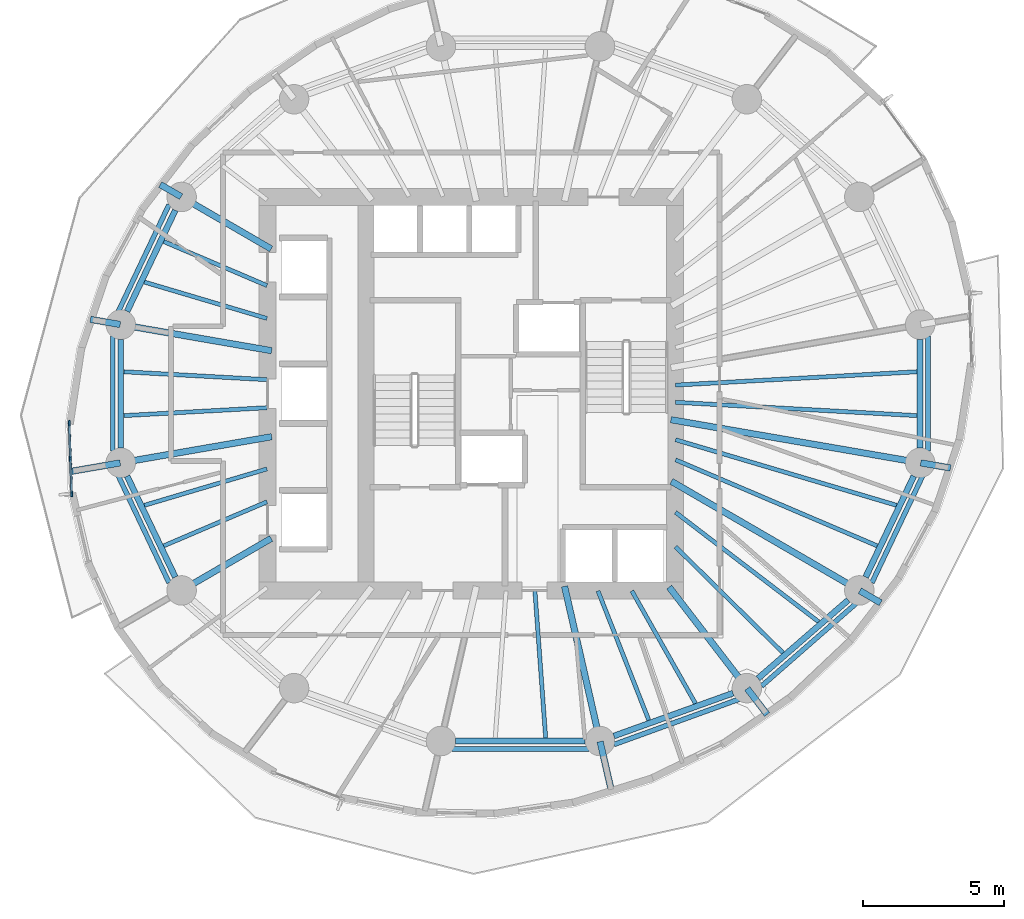
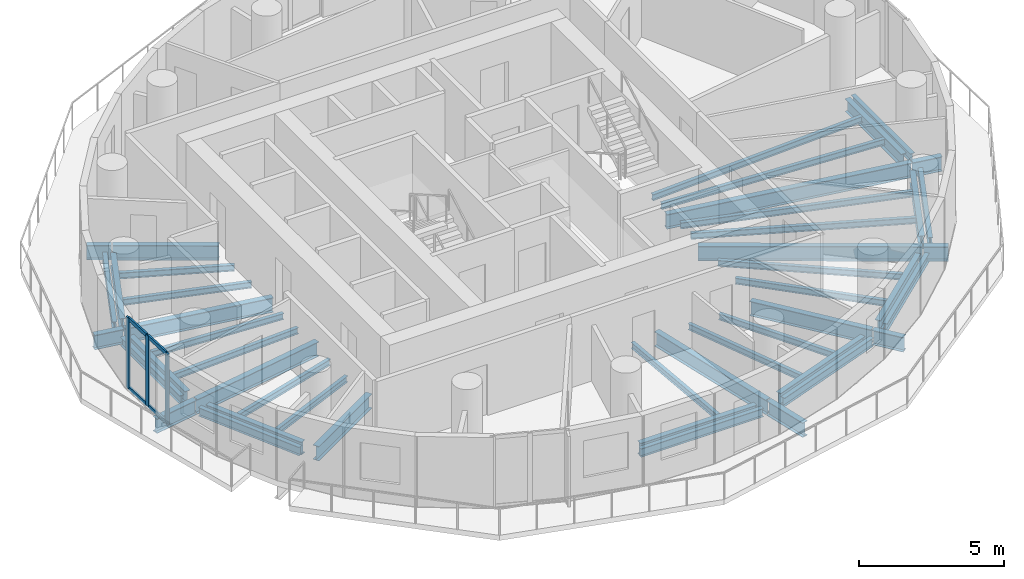
# One storey, part 2 of 14: 46 beams, 7 members, 1 element without a shape of its own.
"""IFC4 building model written with IfcOpenShell, lengths in metres."""

from ifc_helpers import new_model, si_unit, direction, frame, origin, origin_2d, place, context, subcontext, project, spatial, rectangle, i_section, extrude, material, material_profile, profile_set, type_object, element, aggregate, save


model = new_model("IFC4")

# Units and contexts
model_context = context("Model", 3, precision=1e-05, world=origin(), true_north=direction((0.0, 1.0)))
body_context = subcontext(model_context, "Body", "Model", "MODEL_VIEW")
ifc_project = project(units=[si_unit("LENGTHUNIT", "METRE"), si_unit("AREAUNIT", "SQUARE_METRE"), si_unit("VOLUMEUNIT", "CUBIC_METRE"), si_unit("PLANEANGLEUNIT", "RADIAN"), si_unit("MASSUNIT", "GRAM", prefix="KILO")], contexts=[model_context])

# Site, building, storey
site_placement = place(None, origin())
site = spatial("IfcSite", under=ifc_project, at=site_placement, CompositionType="ELEMENT")
building_placement = place(site_placement, origin())
building = spatial("IfcBuilding", under=site, at=building_placement, Name="Veldorim Arch Residences", CompositionType="ELEMENT")
storey_placement = place(building_placement, frame((0.0, 0.0, 129.760009765625)))
storey = spatial("IfcBuildingStorey", under=building, at=storey_placement, Name="L38", CompositionType="ELEMENT", Elevation=129.760009765625)

# Beams
ifc_material_1 = material(Name="Steel S355", Category="steel")
ifc_material_profile_1 = material_profile(ifc_material_1, i_section(OverallWidth=0.2099609375, OverallDepth=0.53662109375, WebThickness=0.0107421875, FlangeThickness=0.017333984375, at=origin_2d()), Name="UB533x210x101")
ifc_profile_set_1 = profile_set([ifc_material_profile_1], Name="Steel S355")
beam_type_1 = type_object("IfcBeamType", Name="Structural Steel Beam UB533x210x101", PredefinedType="BEAM", material=ifc_profile_set_1)
beam_1_placement = place(storey_placement, frame((19.7177734375, 30.5263671875, -0.50830078125), z_axis=(-0.43028577851, -0.902692721147, 0.0), x_axis=(0.902692721147, -0.43028577851, 0.0)))
element("IfcBeam", 1, at=beam_1_placement, inside=storey, type_object=beam_type_1, Name="L38 perimeter ring tie beam 07", PredefinedType="BEAM", context=body_context, shape_type="SweptSolid", body=[
    extrude(i_section(OverallWidth=0.2099609375, OverallDepth=0.53662109375, WebThickness=0.0107421875, FlangeThickness=0.017333984375, at=origin_2d()), origin(), (0.0, 0.0, 1.0), 3.98193359375),
])
beam_2_placement = place(storey_placement, frame((17.778564453125, 25.93310546875, -0.50830078125), z_axis=(0.0, -1.0, 0.0), x_axis=(1.0, 0.0, 0.0)))
element("IfcBeam", 2, at=beam_2_placement, inside=storey, type_object=beam_type_1, Name="L38 perimeter ring tie beam 08", PredefinedType="BEAM", context=body_context, shape_type="SweptSolid", body=[
    extrude(i_section(OverallWidth=0.2099609375, OverallDepth=0.53662109375, WebThickness=0.0107421875, FlangeThickness=0.017333984375, at=origin_2d()), origin(), (0.0, 0.0, 1.0), 3.8662109375),
])
beam_3_placement = place(storey_placement, frame((18.00439453125, 21.068115234375, -0.50830078125), z_axis=(0.43028577851, -0.902692721147, 0.0), x_axis=(0.902692721147, 0.43028577851, 0.0)))
element("IfcBeam", 3, at=beam_3_placement, inside=storey, type_object=beam_type_1, Name="L38 perimeter ring tie beam 09", PredefinedType="BEAM", context=body_context, shape_type="SweptSolid", body=[
    extrude(i_section(OverallWidth=0.2099609375, OverallDepth=0.53662109375, WebThickness=0.0107421875, FlangeThickness=0.017333984375, at=origin_2d()), origin(), (0.0, 0.0, 1.0), 3.98193359375),
])
beam_4_placement = place(storey_placement, frame((29.6962890625, 11.64208984375, -0.50830078125), z_axis=(1.0, 0.0, 0.0), x_axis=(0.0, 1.0, 0.0)))
element("IfcBeam", 4, at=beam_4_placement, inside=storey, type_object=beam_type_1, Name="L38 perimeter ring tie beam 12", PredefinedType="BEAM", context=body_context, shape_type="SweptSolid", body=[
    extrude(i_section(OverallWidth=0.2099609375, OverallDepth=0.53662109375, WebThickness=0.0107421875, FlangeThickness=0.017333984375, at=origin_2d()), origin(), (0.0, 0.0, 1.0), 4.607421875),
])
beam_5_placement = place(storey_placement, frame((35.32275390625, 11.81982421875, -0.50830078125), z_axis=(0.940899155006, 0.338686846673, 0.0), x_axis=(-0.338686846673, 0.940899155006, 0.0)))
element("IfcBeam", 5, at=beam_5_placement, inside=storey, type_object=beam_type_1, Name="L38 perimeter ring tie beam 13", PredefinedType="BEAM", context=body_context, shape_type="SweptSolid", body=[
    extrude(i_section(OverallWidth=0.2099609375, OverallDepth=0.53662109375, WebThickness=0.0107421875, FlangeThickness=0.017333984375, at=origin_2d()), origin(), (0.0, 0.0, 1.0), 4.50537109375),
])
beam_6_placement = place(storey_placement, frame((40.4521484375, 13.867919921875, -0.50830078125), z_axis=(0.754810789581, 0.655942582802, 0.0), x_axis=(-0.655942582802, 0.754810789581, 0.0)))
element("IfcBeam", 6, at=beam_6_placement, inside=storey, type_object=beam_type_1, Name="L38 perimeter ring tie beam 14", PredefinedType="BEAM", context=body_context, shape_type="SweptSolid", body=[
    extrude(i_section(OverallWidth=0.2099609375, OverallDepth=0.53662109375, WebThickness=0.0107421875, FlangeThickness=0.017333984375, at=origin_2d()), origin(), (0.0, 0.0, 1.0), 4.249755859375),
])
beam_7_placement = place(storey_placement, frame((44.2822265625, 17.4736328125, -0.50830078125), z_axis=(0.43028577851, 0.902692721147, 0.0), x_axis=(-0.902692721147, 0.43028577851, 0.0)))
element("IfcBeam", 7, at=beam_7_placement, inside=storey, type_object=beam_type_1, Name="L38 perimeter ring tie beam 15", PredefinedType="BEAM", context=body_context, shape_type="SweptSolid", body=[
    extrude(i_section(OverallWidth=0.2099609375, OverallDepth=0.53662109375, WebThickness=0.0107421875, FlangeThickness=0.017333984375, at=origin_2d()), origin(), (0.0, 0.0, 1.0), 3.98193359375),
])
beam_8_placement = place(storey_placement, frame((46.221435546875, 22.06689453125, -0.50830078125), z_axis=(0.0, 1.0, 0.0), x_axis=(-1.0, 0.0, 0.0)))
element("IfcBeam", 8, at=beam_8_placement, inside=storey, type_object=beam_type_1, Name="L38 perimeter ring tie beam 16", PredefinedType="BEAM", context=body_context, shape_type="SweptSolid", body=[
    extrude(i_section(OverallWidth=0.2099609375, OverallDepth=0.53662109375, WebThickness=0.0107421875, FlangeThickness=0.017333984375, at=origin_2d()), origin(), (0.0, 0.0, 1.0), 3.8662109375),
])
ifc_material_2 = material(Name="Steel S355", Category="steel")
ifc_material_profile_2 = material_profile(ifc_material_2, i_section(OverallWidth=0.22900390625, OverallDepth=0.6123046875, WebThickness=0.011962890625, FlangeThickness=0.01953125, at=origin_2d()), Name="UB610x229x125")
ifc_profile_set_2 = profile_set([ifc_material_profile_2], Name="Steel S355")
beam_type_2 = type_object("IfcBeamType", Name="Structural Steel Beam UB610x229x125", PredefinedType="BEAM", material=ifc_profile_set_2)
beam_9_placement = place(storey_placement, frame((23.129638671875, 29.150390625, -0.546142578125), z_axis=(-0.864794546612, 0.502125872815, 0.0), x_axis=(-0.502125872815, -0.864794546612, 0.0)))
element("IfcBeam", 9, at=beam_9_placement, inside=storey, type_object=beam_type_2, Name="L38 radial floor girder 07", PredefinedType="BEAM", context=body_context, shape_type="SweptSolid", body=[
    extrude(i_section(OverallWidth=0.22900390625, OverallDepth=0.6123046875, WebThickness=0.011962890625, FlangeThickness=0.01953125, at=origin_2d()), origin(), (0.0, 0.0, 1.0), 3.6640625),
])
beam_10_placement = place(storey_placement, frame((19.926513671875, 31.01025390625, -0.546142578125), z_axis=(-0.864900403911, 0.501943514067, 0.0), x_axis=(-0.501943514067, -0.864900403911, 0.0)))
element("IfcBeam", 10, at=beam_10_placement, inside=storey, type_object=beam_type_2, Name="L38 radial edge cantilever girder 07", PredefinedType="BEAM", context=body_context, shape_type="SweptSolid", body=[
    extrude(i_section(OverallWidth=0.22900390625, OverallDepth=0.6123046875, WebThickness=0.011962890625, FlangeThickness=0.01953125, at=origin_2d()), origin(), (0.0, 0.0, 1.0), 0.85888671875),
])
beam_11_placement = place(storey_placement, frame((23.147705078125, 25.530029296875, -0.546142578125), z_axis=(-0.985390445301, 0.170310511449, 0.0), x_axis=(-0.170310511449, -0.985390445301, 0.0)))
element("IfcBeam", 11, at=beam_11_placement, inside=storey, type_object=beam_type_2, Name="L38 radial floor girder 08", PredefinedType="BEAM", context=body_context, shape_type="SweptSolid", body=[
    extrude(i_section(OverallWidth=0.22900390625, OverallDepth=0.6123046875, WebThickness=0.011962890625, FlangeThickness=0.01953125, at=origin_2d()), origin(), (0.0, 0.0, 1.0), 5.4287109375),
])
beam_12_placement = place(storey_placement, frame((17.7587890625, 26.46142578125, -0.546142578125), z_axis=(-0.985387910853, 0.170325174727, 0.0), x_axis=(-0.170325174727, -0.985387910853, 0.0)))
element("IfcBeam", 12, at=beam_12_placement, inside=storey, type_object=beam_type_2, Name="L38 radial edge cantilever girder 08", PredefinedType="BEAM", context=body_context, shape_type="SweptSolid", body=[
    extrude(i_section(OverallWidth=0.22900390625, OverallDepth=0.6123046875, WebThickness=0.011962890625, FlangeThickness=0.01953125, at=origin_2d()), origin(), (0.0, 0.0, 1.0), 1.074951171875),
])
beam_13_placement = place(storey_placement, frame((23.147705078125, 22.469970703125, -0.546142578125), z_axis=(-0.985390445301, -0.170310511449, 0.0), x_axis=(0.170310511449, -0.985390445301, 0.0)))
element("IfcBeam", 13, at=beam_13_placement, inside=storey, type_object=beam_type_2, Name="L38 radial floor girder 09", PredefinedType="BEAM", context=body_context, shape_type="SweptSolid", body=[
    extrude(i_section(OverallWidth=0.22900390625, OverallDepth=0.6123046875, WebThickness=0.011962890625, FlangeThickness=0.01953125, at=origin_2d()), origin(), (0.0, 0.0, 1.0), 5.4287109375),
])
beam_14_placement = place(storey_placement, frame((17.7587890625, 21.53857421875, -0.546142578125), z_axis=(-0.985382949726, -0.170353874007, 0.0), x_axis=(0.170353874007, -0.985382949726, 0.0)))
element("IfcBeam", 14, at=beam_14_placement, inside=storey, type_object=beam_type_2, Name="L38 radial edge cantilever girder 09", PredefinedType="BEAM", context=body_context, shape_type="SweptSolid", body=[
    extrude(i_section(OverallWidth=0.22900390625, OverallDepth=0.6123046875, WebThickness=0.011962890625, FlangeThickness=0.01953125, at=origin_2d()), origin(), (0.0, 0.0, 1.0), 1.774169921875),
])
beam_15_placement = place(storey_placement, frame((23.129638671875, 18.849609375, -0.546142578125), z_axis=(-0.864794546612, -0.502125872815, 0.0), x_axis=(0.502125872815, -0.864794546612, 0.0)))
element("IfcBeam", 15, at=beam_15_placement, inside=storey, type_object=beam_type_2, Name="L38 radial floor girder 10", PredefinedType="BEAM", context=body_context, shape_type="SweptSolid", body=[
    extrude(i_section(OverallWidth=0.22900390625, OverallDepth=0.6123046875, WebThickness=0.011962890625, FlangeThickness=0.01953125, at=origin_2d()), origin(), (0.0, 0.0, 1.0), 3.6640625),
])
beam_16_placement = place(storey_placement, frame((33.56884765625, 17.146240234375, -0.546142578125), z_axis=(0.223119342184, -0.974791136164, 0.0), x_axis=(0.974791136164, 0.223119342184, 0.0)))
element("IfcBeam", 16, at=beam_16_placement, inside=storey, type_object=beam_type_2, Name="L38 radial floor girder 13", PredefinedType="BEAM", context=body_context, shape_type="SweptSolid", body=[
    extrude(i_section(OverallWidth=0.22900390625, OverallDepth=0.6123046875, WebThickness=0.011962890625, FlangeThickness=0.01953125, at=origin_2d()), origin(), (0.0, 0.0, 1.0), 5.62646484375),
])
beam_17_placement = place(storey_placement, frame((34.833251953125, 11.62255859375, -0.546142578125), z_axis=(0.223180402263, -0.974777158147, 0.0), x_axis=(0.974777158147, 0.223180402263, 0.0)))
element("IfcBeam", 17, at=beam_17_placement, inside=storey, type_object=beam_type_2, Name="L38 radial edge cantilever girder 13", PredefinedType="BEAM", context=body_context, shape_type="SweptSolid", body=[
    extrude(i_section(OverallWidth=0.22900390625, OverallDepth=0.6123046875, WebThickness=0.011962890625, FlangeThickness=0.01953125, at=origin_2d()), origin(), (0.0, 0.0, 1.0), 1.826904296875),
])
beam_18_placement = place(storey_placement, frame((37.291259765625, 17.118896484375, -0.546142578125), z_axis=(0.609559199361, -0.792740551804, 0.0), x_axis=(0.792740551804, 0.609559199361, 0.0)))
element("IfcBeam", 18, at=beam_18_placement, inside=storey, type_object=beam_type_2, Name="L38 radial floor girder 14", PredefinedType="BEAM", context=body_context, shape_type="SweptSolid", body=[
    extrude(i_section(OverallWidth=0.22900390625, OverallDepth=0.6123046875, WebThickness=0.011962890625, FlangeThickness=0.01953125, at=origin_2d()), origin(), (0.0, 0.0, 1.0), 4.515380859375),
])
beam_19_placement = place(storey_placement, frame((40.068115234375, 13.507568359375, -0.546142578125), z_axis=(0.609538125584, -0.792756755543, 0.0), x_axis=(0.792756755543, 0.609538125584, 0.0)))
element("IfcBeam", 19, at=beam_19_placement, inside=storey, type_object=beam_type_2, Name="L38 radial edge cantilever girder 14", PredefinedType="BEAM", context=body_context, shape_type="SweptSolid", body=[
    extrude(i_section(OverallWidth=0.22900390625, OverallDepth=0.6123046875, WebThickness=0.011962890625, FlangeThickness=0.01953125, at=origin_2d()), origin(), (0.0, 0.0, 1.0), 1.161865234375),
])
beam_20_placement = place(storey_placement, frame((37.370361328125, 20.8818359375, -0.546142578125), z_axis=(0.864793381443, -0.502127879542, 0.0), x_axis=(0.502127879542, 0.864793381443, 0.0)))
element("IfcBeam", 20, at=beam_20_placement, inside=storey, type_object=beam_type_2, Name="L38 radial floor girder 15", PredefinedType="BEAM", context=body_context, shape_type="SweptSolid", body=[
    extrude(i_section(OverallWidth=0.22900390625, OverallDepth=0.6123046875, WebThickness=0.011962890625, FlangeThickness=0.01953125, at=origin_2d()), origin(), (0.0, 0.0, 1.0), 7.71142578125),
])
beam_21_placement = place(storey_placement, frame((44.073486328125, 16.98974609375, -0.546142578125), z_axis=(0.864900403911, -0.501943514067, 0.0), x_axis=(0.501943514067, 0.864900403911, 0.0)))
element("IfcBeam", 21, at=beam_21_placement, inside=storey, type_object=beam_type_2, Name="L38 radial edge cantilever girder 15", PredefinedType="BEAM", context=body_context, shape_type="SweptSolid", body=[
    extrude(i_section(OverallWidth=0.22900390625, OverallDepth=0.6123046875, WebThickness=0.011962890625, FlangeThickness=0.01953125, at=origin_2d()), origin(), (0.0, 0.0, 1.0), 0.85888671875),
])
beam_22_placement = place(storey_placement, frame((37.352294921875, 23.074951171875, -0.546142578125), z_axis=(0.985389398766, -0.170316566427, 0.0), x_axis=(0.170316566427, 0.985389398766, 0.0)))
element("IfcBeam", 22, at=beam_22_placement, inside=storey, type_object=beam_type_2, Name="L38 radial floor girder 16", PredefinedType="BEAM", context=body_context, shape_type="SweptSolid", body=[
    extrude(i_section(OverallWidth=0.22900390625, OverallDepth=0.6123046875, WebThickness=0.011962890625, FlangeThickness=0.01953125, at=origin_2d()), origin(), (0.0, 0.0, 1.0), 8.98046875),
])
beam_23_placement = place(storey_placement, frame((46.2412109375, 21.53857421875, -0.546142578125), z_axis=(0.985387910853, -0.170325174727, 0.0), x_axis=(0.170325174727, 0.985387910853, 0.0)))
element("IfcBeam", 23, at=beam_23_placement, inside=storey, type_object=beam_type_2, Name="L38 radial edge cantilever girder 16", PredefinedType="BEAM", context=body_context, shape_type="SweptSolid", body=[
    extrude(i_section(OverallWidth=0.22900390625, OverallDepth=0.6123046875, WebThickness=0.011962890625, FlangeThickness=0.01953125, at=origin_2d()), origin(), (0.0, 0.0, 1.0), 1.074951171875),
])
ifc_material_3 = material(Name="Steel S355", Category="steel")
ifc_material_profile_3 = material_profile(ifc_material_3, i_section(OverallWidth=0.146484375, OverallDepth=0.256103515625, WebThickness=0.00634765625, FlangeThickness=0.010986328125, at=origin_2d()), Name="UB254x146x37")
ifc_profile_set_3 = profile_set([ifc_material_profile_3], Name="Steel S355")
beam_type_3 = type_object("IfcBeamType", Name="Structural Steel Joist UB254x146x37", PredefinedType="JOIST", material=ifc_profile_set_3)
beam_24_placement = place(storey_placement, frame((22.981689453125, 27.84619140625, -0.367919921875), z_axis=(-0.919823469329, 0.392332493265, 0.0), x_axis=(-0.392332493265, -0.919823469329, 0.0)))
element("IfcBeam", 24, at=beam_24_placement, inside=storey, type_object=beam_type_3, Name="L38 secondary radial floor joist 07-1", PredefinedType="JOIST", context=body_context, shape_type="SweptSolid", body=[
    extrude(i_section(OverallWidth=0.146484375, OverallDepth=0.256103515625, WebThickness=0.00634765625, FlangeThickness=0.010986328125, at=origin_2d()), origin(), (0.0, 0.0, 1.0), 3.993896484375),
])
beam_25_placement = place(storey_placement, frame((22.980712890625, 26.677001953125, -0.367919921875), z_axis=(-0.95868163277, 0.284481154014, 0.0), x_axis=(-0.284481154014, -0.95868163277, 0.0)))
element("IfcBeam", 25, at=beam_25_placement, inside=storey, type_object=beam_type_3, Name="L38 secondary radial floor joist 07-2", PredefinedType="JOIST", context=body_context, shape_type="SweptSolid", body=[
    extrude(i_section(OverallWidth=0.146484375, OverallDepth=0.256103515625, WebThickness=0.00634765625, FlangeThickness=0.010986328125, at=origin_2d()), origin(), (0.0, 0.0, 1.0), 4.54931640625),
])
for number, where, z_axis, x_axis, name in (
    (26, (22.97998046875, 24.498779296875, -0.367919921875), (-0.998472994317, 0.055242009562, 0.0), (-0.055242009562, -0.998472994317, 0.0), "L38 secondary radial floor joist 08-1"),
    (27, (22.97998046875, 23.501220703125, -0.367919921875), (-0.998472994317, -0.055242009562, 0.0), (0.055242009562, -0.998472994317, 0.0), "L38 secondary radial floor joist 08-2"),
):
    element("IfcBeam", number, at=place(storey_placement, frame(where, z_axis=z_axis, x_axis=x_axis)), inside=storey, type_object=beam_type_3, Name=name, PredefinedType="JOIST", context=body_context, shape_type="SweptSolid", body=[
        extrude(i_section(OverallWidth=0.146484375, OverallDepth=0.256103515625, WebThickness=0.00634765625, FlangeThickness=0.010986328125, at=origin_2d()), origin(), (0.0, 0.0, 1.0), 5.10009765625),
    ])
beam_26_placement = place(storey_placement, frame((22.980712890625, 21.322998046875, -0.367919921875), z_axis=(-0.95868163277, -0.284481154014, 0.0), x_axis=(0.284481154014, -0.95868163277, 0.0)))
element("IfcBeam", 28, at=beam_26_placement, inside=storey, type_object=beam_type_3, Name="L38 secondary radial floor joist 09-1", PredefinedType="JOIST", context=body_context, shape_type="SweptSolid", body=[
    extrude(i_section(OverallWidth=0.146484375, OverallDepth=0.256103515625, WebThickness=0.00634765625, FlangeThickness=0.010986328125, at=origin_2d()), origin(), (0.0, 0.0, 1.0), 4.54931640625),
])
beam_27_placement = place(storey_placement, frame((22.981689453125, 20.15380859375, -0.367919921875), z_axis=(-0.919823469329, -0.392332493265, 0.0), x_axis=(0.392332493265, -0.919823469329, 0.0)))
element("IfcBeam", 29, at=beam_27_placement, inside=storey, type_object=beam_type_3, Name="L38 secondary radial floor joist 09-2", PredefinedType="JOIST", context=body_context, shape_type="SweptSolid", body=[
    extrude(i_section(OverallWidth=0.146484375, OverallDepth=0.256103515625, WebThickness=0.00634765625, FlangeThickness=0.010986328125, at=origin_2d()), origin(), (0.0, 0.0, 1.0), 3.993896484375),
])
beam_28_placement = place(storey_placement, frame((32.51416015625, 16.97998046875, -0.367919921875), z_axis=(0.073060364166, -0.997327520521, 0.0), x_axis=(0.997327520521, 0.073060364166, 0.0)))
element("IfcBeam", 30, at=beam_28_placement, inside=storey, type_object=beam_type_3, Name="L38 secondary radial floor joist 12-2", PredefinedType="JOIST", context=body_context, shape_type="SweptSolid", body=[
    extrude(i_section(OverallWidth=0.146484375, OverallDepth=0.256103515625, WebThickness=0.00634765625, FlangeThickness=0.010986328125, at=origin_2d()), origin(), (0.0, 0.0, 1.0), 5.242919921875),
])
beam_29_placement = place(storey_placement, frame((34.7587890625, 16.9814453125, -0.367919921875), z_axis=(0.365777738491, -0.930702232739, 0.0), x_axis=(0.930702232739, 0.365777738491, 0.0)))
element("IfcBeam", 31, at=beam_29_placement, inside=storey, type_object=beam_type_3, Name="L38 secondary radial floor joist 13-1", PredefinedType="JOIST", context=body_context, shape_type="SweptSolid", body=[
    extrude(i_section(OverallWidth=0.146484375, OverallDepth=0.256103515625, WebThickness=0.00634765625, FlangeThickness=0.010986328125, at=origin_2d()), origin(), (0.0, 0.0, 1.0), 4.9404296875),
])
beam_30_placement = place(storey_placement, frame((35.96337890625, 16.982666015625, -0.367919921875), z_axis=(0.491815801586, -0.870699269157, 0.0), x_axis=(0.870699269157, 0.491815801586, 0.0)))
element("IfcBeam", 32, at=beam_30_placement, inside=storey, type_object=beam_type_3, Name="L38 secondary radial floor joist 13-2", PredefinedType="JOIST", context=body_context, shape_type="SweptSolid", body=[
    extrude(i_section(OverallWidth=0.146484375, OverallDepth=0.256103515625, WebThickness=0.00634765625, FlangeThickness=0.010986328125, at=origin_2d()), origin(), (0.0, 0.0, 1.0), 4.59814453125),
])
beam_31_placement = place(storey_placement, frame((37.51416015625, 18.556884765625, -0.367919921875), z_axis=(0.711703457158, -0.702480027523, 0.0), x_axis=(0.702480027523, 0.711703457158, 0.0)))
element("IfcBeam", 33, at=beam_31_placement, inside=storey, type_object=beam_type_3, Name="L38 secondary radial floor joist 14-1", PredefinedType="JOIST", context=body_context, shape_type="SweptSolid", body=[
    extrude(i_section(OverallWidth=0.146484375, OverallDepth=0.256103515625, WebThickness=0.00634765625, FlangeThickness=0.010986328125, at=origin_2d()), origin(), (0.0, 0.0, 1.0), 5.373291015625),
])
beam_32_placement = place(storey_placement, frame((37.515869140625, 19.780517578125, -0.367919921875), z_axis=(0.794267053144, -0.607568801281, 0.0), x_axis=(0.607568801281, 0.794267053144, 0.0)))
element("IfcBeam", 34, at=beam_32_placement, inside=storey, type_object=beam_type_3, Name="L38 secondary radial floor joist 14-2", PredefinedType="JOIST", context=body_context, shape_type="SweptSolid", body=[
    extrude(i_section(OverallWidth=0.146484375, OverallDepth=0.256103515625, WebThickness=0.00634765625, FlangeThickness=0.010986328125, at=origin_2d()), origin(), (0.0, 0.0, 1.0), 6.412841796875),
])
beam_33_placement = place(storey_placement, frame((37.518310546875, 21.646484375, -0.367919921875), z_axis=(0.919831795434, -0.39231297214, 0.0), x_axis=(0.39231297214, 0.919831795434, 0.0)))
element("IfcBeam", 35, at=beam_33_placement, inside=storey, type_object=beam_type_3, Name="L38 secondary radial floor joist 15-1", PredefinedType="JOIST", context=body_context, shape_type="SweptSolid", body=[
    extrude(i_section(OverallWidth=0.146484375, OverallDepth=0.256103515625, WebThickness=0.00634765625, FlangeThickness=0.010986328125, at=origin_2d()), origin(), (0.0, 0.0, 1.0), 7.798828125),
])
beam_34_placement = place(storey_placement, frame((37.519287109375, 22.36181640625, -0.367919921875), z_axis=(0.958674276305, -0.284505943614, 0.0), x_axis=(0.284505943614, 0.958674276305, 0.0)))
element("IfcBeam", 36, at=beam_34_placement, inside=storey, type_object=beam_type_3, Name="L38 secondary radial floor joist 15-2", PredefinedType="JOIST", context=body_context, shape_type="SweptSolid", body=[
    extrude(i_section(OverallWidth=0.146484375, OverallDepth=0.256103515625, WebThickness=0.00634765625, FlangeThickness=0.010986328125, at=origin_2d()), origin(), (0.0, 0.0, 1.0), 8.2001953125),
])
for number, where, z_axis, x_axis, name in (
    (37, (37.52001953125, 23.694580078125, -0.367919921875), (0.998474809964, -0.055209182821, 0.0), (0.055209182821, 0.998474809964, 0.0), "L38 secondary radial floor joist 16-1"),
    (38, (37.52001953125, 24.305419921875, -0.367919921875), (0.998474809964, 0.055209182821, 0.0), (-0.055209182821, 0.998474809964, 0.0), "L38 secondary radial floor joist 16-2"),
):
    element("IfcBeam", number, at=place(storey_placement, frame(where, z_axis=z_axis, x_axis=x_axis)), inside=storey, type_object=beam_type_3, Name=name, PredefinedType="JOIST", context=body_context, shape_type="SweptSolid", body=[
        extrude(i_section(OverallWidth=0.146484375, OverallDepth=0.256103515625, WebThickness=0.00634765625, FlangeThickness=0.010986328125, at=origin_2d()), origin(), (0.0, 0.0, 1.0), 8.60546875),
    ])
ifc_material_4 = material(Name="Steel S355", Category="steel")
ifc_material_profile_4 = material_profile(ifc_material_4, i_section(OverallWidth=0.172119140625, OverallDepth=0.35791015625, WebThickness=0.008056640625, FlangeThickness=0.012939453125, at=origin_2d()), Name="UB356x171x57")
ifc_profile_set_4 = profile_set([ifc_material_profile_4], Name="Steel S355")
beam_type_4 = type_object("IfcBeamType", Name="Structural Steel Spandrel UB356x171x57", PredefinedType="SPANDREL", material=ifc_profile_set_4)
beam_35_placement = place(storey_placement, frame((19.49609375, 30.727783203125, -0.43896484375), z_axis=(-0.428579957662, -0.903503857153, 0.0), x_axis=(0.903503857153, -0.428579957662, 0.0)))
element("IfcBeam", 39, at=beam_35_placement, inside=storey, type_object=beam_type_4, Name="L38 perimeter chord spandrel beam 07", PredefinedType="SPANDREL", context=body_context, shape_type="SweptSolid", body=[
    extrude(i_section(OverallWidth=0.172119140625, OverallDepth=0.35791015625, WebThickness=0.008056640625, FlangeThickness=0.012939453125, at=origin_2d()), origin(), (0.0, 0.0, 1.0), 4.209228515625),
])
beam_36_placement = place(storey_placement, frame((17.494140625, 26.04541015625, -0.43896484375), z_axis=(0.0, -1.0, 0.0), x_axis=(1.0, 0.0, 0.0)))
element("IfcBeam", 40, at=beam_36_placement, inside=storey, type_object=beam_type_4, Name="L38 perimeter chord spandrel beam 08", PredefinedType="SPANDREL", context=body_context, shape_type="SweptSolid", body=[
    extrude(i_section(OverallWidth=0.172119140625, OverallDepth=0.35791015625, WebThickness=0.008056640625, FlangeThickness=0.012939453125, at=origin_2d()), origin(), (0.0, 0.0, 1.0), 4.0908203125),
])
beam_37_placement = place(storey_placement, frame((17.692138671875, 21.0751953125, -0.43896484375), z_axis=(0.428579957662, -0.903503857153, 0.0), x_axis=(0.903503857153, 0.428579957662, 0.0)))
element("IfcBeam", 41, at=beam_37_placement, inside=storey, type_object=beam_type_4, Name="L38 perimeter chord spandrel beam 09", PredefinedType="SPANDREL", context=body_context, shape_type="SweptSolid", body=[
    extrude(i_section(OverallWidth=0.172119140625, OverallDepth=0.35791015625, WebThickness=0.008056640625, FlangeThickness=0.012939453125, at=origin_2d()), origin(), (0.0, 0.0, 1.0), 4.209228515625),
])
beam_38_placement = place(storey_placement, frame((29.56884765625, 11.360595703125, -0.43896484375), z_axis=(1.0, 0.0, 0.0), x_axis=(0.0, 1.0, 0.0)))
element("IfcBeam", 42, at=beam_38_placement, inside=storey, type_object=beam_type_4, Name="L38 perimeter chord spandrel beam 12", PredefinedType="SPANDREL", context=body_context, shape_type="SweptSolid", body=[
    extrude(i_section(OverallWidth=0.172119140625, OverallDepth=0.35791015625, WebThickness=0.008056640625, FlangeThickness=0.012939453125, at=origin_2d()), origin(), (0.0, 0.0, 1.0), 4.8623046875),
])
beam_39_placement = place(storey_placement, frame((35.32763671875, 11.51806640625, -0.43896484375), z_axis=(0.940212553113, 0.340588248429, 0.0), x_axis=(-0.340588248429, 0.940212553113, 0.0)))
element("IfcBeam", 43, at=beam_39_placement, inside=storey, type_object=beam_type_4, Name="L38 perimeter chord spandrel beam 13", PredefinedType="SPANDREL", context=body_context, shape_type="SweptSolid", body=[
    extrude(i_section(OverallWidth=0.172119140625, OverallDepth=0.35791015625, WebThickness=0.008056640625, FlangeThickness=0.012939453125, at=origin_2d()), origin(), (0.0, 0.0, 1.0), 4.75390625),
])
beam_40_placement = place(storey_placement, frame((40.57958984375, 13.5986328125, -0.43896484375), z_axis=(0.753014748982, 0.658003638148, 0.0), x_axis=(-0.658003638148, 0.753014748982, 0.0)))
element("IfcBeam", 44, at=beam_40_placement, inside=storey, type_object=beam_type_4, Name="L38 perimeter chord spandrel beam 14", PredefinedType="SPANDREL", context=body_context, shape_type="SweptSolid", body=[
    extrude(i_section(OverallWidth=0.172119140625, OverallDepth=0.35791015625, WebThickness=0.008056640625, FlangeThickness=0.012939453125, at=origin_2d()), origin(), (0.0, 0.0, 1.0), 4.486572265625),
])
beam_41_placement = place(storey_placement, frame((44.50390625, 17.272216796875, -0.43896484375), z_axis=(0.428579957662, 0.903503857153, 0.0), x_axis=(-0.903503857153, 0.428579957662, 0.0)))
element("IfcBeam", 45, at=beam_41_placement, inside=storey, type_object=beam_type_4, Name="L38 perimeter chord spandrel beam 15", PredefinedType="SPANDREL", context=body_context, shape_type="SweptSolid", body=[
    extrude(i_section(OverallWidth=0.172119140625, OverallDepth=0.35791015625, WebThickness=0.008056640625, FlangeThickness=0.012939453125, at=origin_2d()), origin(), (0.0, 0.0, 1.0), 4.209228515625),
])
beam_42_placement = place(storey_placement, frame((46.505859375, 21.95458984375, -0.43896484375), z_axis=(0.0, 1.0, 0.0), x_axis=(-1.0, 0.0, 0.0)))
element("IfcBeam", 46, at=beam_42_placement, inside=storey, type_object=beam_type_4, Name="L38 perimeter chord spandrel beam 16", PredefinedType="SPANDREL", context=body_context, shape_type="SweptSolid", body=[
    extrude(i_section(OverallWidth=0.172119140625, OverallDepth=0.35791015625, WebThickness=0.008056640625, FlangeThickness=0.012939453125, at=origin_2d()), origin(), (0.0, 0.0, 1.0), 4.0908203125),
])

# Curtain wall, members
ifc_material_5 = material(Name="Aluminium", Category="aluminium")
curtain_wall_type = type_object("IfcCurtainWallType", Name="Zone 3 High-Wind Unitised Curtain Wall", PredefinedType="NOTDEFINED", material=ifc_material_5)
curtain_wall_placement = place(storey_placement, origin())
curtain_wall = element("IfcCurtainWall", 47, at=curtain_wall_placement, inside=storey, type_object=curtain_wall_type, Name="L38 unitised curtain wall bay 16", PredefinedType="NOTDEFINED")
ifc_material_6 = material(Name="Aluminium", Category="aluminium")
ifc_material_profile_5 = material_profile(ifc_material_6, rectangle(XDim=0.070068359375, YDim=0.179931640625, at=origin_2d()), Name="ALU_MUL_70x180")
ifc_profile_set_5 = profile_set([ifc_material_profile_5], Name="Aluminium")
member_type_1 = type_object("IfcMemberType", Name="Zone 3 High-Wind Unitised Curtain Wall Mullion 70x180", PredefinedType="MULLION", material=ifc_profile_set_5)
member_1_placement = place(storey_placement, frame((16.0302734375, 20.42529296875, 0.0), z_axis=(0.0, 0.0, 1.0), x_axis=(-0.999369736243, -0.035498313784, 0.0)))
member_1 = element("IfcMember", 48, at=member_1_placement, type_object=member_type_1, Name="CW-Z3 mullion 1", PredefinedType="MULLION", context=body_context, shape_type="SweptSolid", body=[
    extrude(rectangle(XDim=0.070068359375, YDim=0.179931640625, at=origin_2d()), origin(), (0.0, 0.0, 1.0), 2.9599609375),
])
member_2_placement = place(storey_placement, frame((15.985107421875, 21.69091796875, 0.0), z_axis=(0.0, 0.0, 1.0), x_axis=(-0.999369736243, -0.035498313784, 0.0)))
member_2 = element("IfcMember", 49, at=member_2_placement, type_object=member_type_1, Name="CW-Z3 mullion 2", PredefinedType="MULLION", context=body_context, shape_type="SweptSolid", body=[
    extrude(rectangle(XDim=0.070068359375, YDim=0.179931640625, at=origin_2d()), origin(), (0.0, 0.0, 1.0), 2.9599609375),
])
member_3_placement = place(storey_placement, frame((15.940185546875, 22.95654296875, 0.0), z_axis=(0.0, 0.0, 1.0), x_axis=(-0.999369736243, -0.035498313784, 0.0)))
member_3 = element("IfcMember", 50, at=member_3_placement, type_object=member_type_1, Name="CW-Z3 mullion 3", PredefinedType="MULLION", context=body_context, shape_type="SweptSolid", body=[
    extrude(rectangle(XDim=0.070068359375, YDim=0.179931640625, at=origin_2d()), origin(), (0.0, 0.0, 1.0), 2.9599609375),
])
ifc_material_7 = material(Name="Aluminium", Category="aluminium")
ifc_material_profile_6 = material_profile(ifc_material_7, rectangle(XDim=0.070068359375, YDim=0.155029296875, at=origin_2d()), Name="ALU_TRN_70x155")
ifc_profile_set_6 = profile_set([ifc_material_profile_6], Name="Aluminium")
member_type_2 = type_object("IfcMemberType", Name="Zone 3 High-Wind Unitised Curtain Wall Transom 70x155", PredefinedType="USERDEFINED", material=ifc_profile_set_6)
member_4_placement = place(storey_placement, frame((16.02880859375, 20.460205078125, 0.034912109375), z_axis=(-0.035502308986, 0.999369594323, 0.0), x_axis=(-0.999369594323, -0.035502308986, 0.0)))
member_4 = element("IfcMember", 51, at=member_4_placement, type_object=member_type_2, Name="CW-Z3 transom 1.1", ObjectType="TRANSOM", PredefinedType="USERDEFINED", context=body_context, shape_type="SweptSolid", body=[
    extrude(rectangle(XDim=0.070068359375, YDim=0.155029296875, at=origin_2d()), origin(), (0.0, 0.0, 1.0), 1.196533203125),
])
member_5_placement = place(storey_placement, frame((16.02880859375, 20.460205078125, 2.925048828125), z_axis=(-0.035502308986, 0.999369594323, 0.0), x_axis=(-0.999369594323, -0.035502308986, 0.0)))
member_5 = element("IfcMember", 52, at=member_5_placement, type_object=member_type_2, Name="CW-Z3 transom 1.2", ObjectType="TRANSOM", PredefinedType="USERDEFINED", context=body_context, shape_type="SweptSolid", body=[
    extrude(rectangle(XDim=0.070068359375, YDim=0.155029296875, at=origin_2d()), origin(), (0.0, 0.0, 1.0), 1.196533203125),
])
member_6_placement = place(storey_placement, frame((15.98388671875, 21.725830078125, 0.034912109375), z_axis=(-0.035502308986, 0.999369594323, 0.0), x_axis=(-0.999369594323, -0.035502308986, 0.0)))
member_6 = element("IfcMember", 53, at=member_6_placement, type_object=member_type_2, Name="CW-Z3 transom 2.1", ObjectType="TRANSOM", PredefinedType="USERDEFINED", context=body_context, shape_type="SweptSolid", body=[
    extrude(rectangle(XDim=0.070068359375, YDim=0.155029296875, at=origin_2d()), origin(), (0.0, 0.0, 1.0), 1.196533203125),
])
member_7_placement = place(storey_placement, frame((15.98388671875, 21.725830078125, 2.925048828125), z_axis=(-0.035502308986, 0.999369594323, 0.0), x_axis=(-0.999369594323, -0.035502308986, 0.0)))
member_7 = element("IfcMember", 54, at=member_7_placement, type_object=member_type_2, Name="CW-Z3 transom 2.2", ObjectType="TRANSOM", PredefinedType="USERDEFINED", context=body_context, shape_type="SweptSolid", body=[
    extrude(rectangle(XDim=0.070068359375, YDim=0.155029296875, at=origin_2d()), origin(), (0.0, 0.0, 1.0), 1.196533203125),
])
aggregate(curtain_wall, [member_1, member_2, member_3, member_4, member_5, member_6, member_7])

save(model, "model.ifc")
